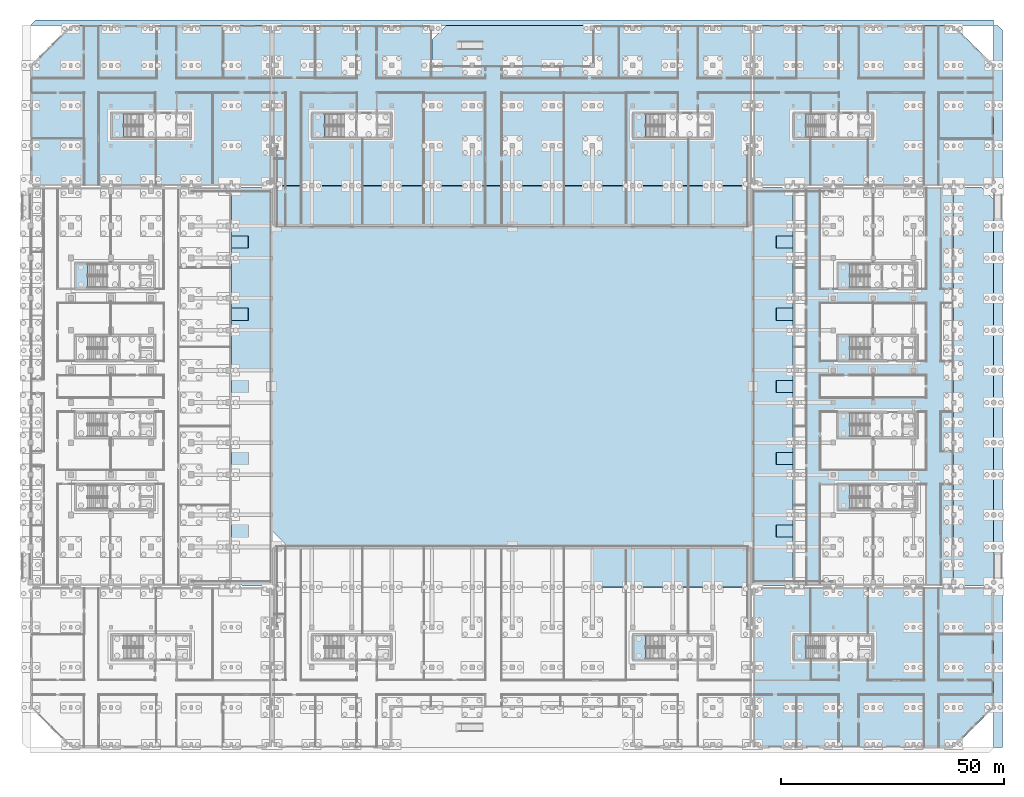
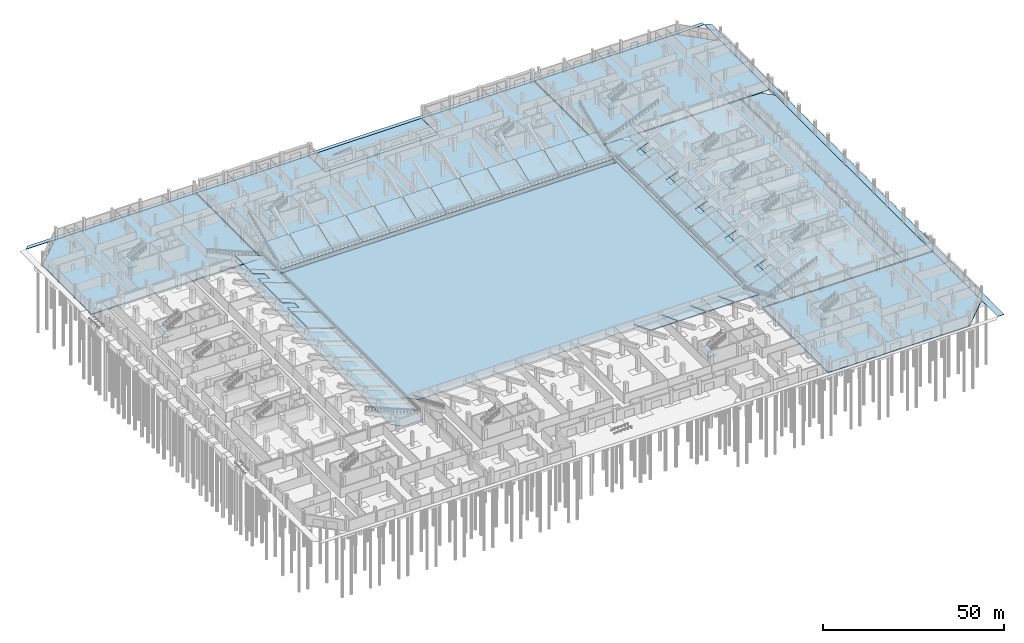
# One storey, part 12 of 53: 55 slabs, 11 elements without a shape of their own.
"""IFC4 building model written with IfcOpenShell, lengths in metres."""

from ifc_helpers import new_model, si_unit, direction, frame, origin, place, context, subcontext, project, spatial, polyline, outline, extrude, material, layer, layer_set, type_object, element, aggregate, save


model = new_model("IFC4")

# Units and contexts
model_context = context("Model", 3, precision=1e-05, world=origin(), true_north=direction((0.0, 1.0)))
body_context = subcontext(model_context, "Body", "Model", "MODEL_VIEW")
ifc_project = project(units=[si_unit("LENGTHUNIT", "METRE"), si_unit("AREAUNIT", "SQUARE_METRE"), si_unit("VOLUMEUNIT", "CUBIC_METRE"), si_unit("PLANEANGLEUNIT", "RADIAN"), si_unit("MASSUNIT", "GRAM", prefix="KILO"), si_unit("THERMODYNAMICTEMPERATUREUNIT", "KELVIN"), si_unit("POWERUNIT", "WATT")], contexts=[model_context])

# Site, building, storey
site_placement = place(None, origin())
site = spatial("IfcSite", under=ifc_project, at=site_placement, CompositionType="ELEMENT")
building_placement = place(site_placement, origin())
building = spatial("IfcBuilding", under=site, at=building_placement, Name="Sindhuravela Promenade Stadium", CompositionType="ELEMENT")
storey_placement = place(building_placement, origin())
storey = spatial("IfcBuildingStorey", under=building, at=storey_placement, Name="L00", CompositionType="ELEMENT", Elevation=0.0)

# Slabs
ifc_material_1 = material(Name="Concrete M40", Category="concrete")
ifc_layer_1 = layer(ifc_material_1, 0.340087890625)
ifc_layer_set_1 = layer_set([ifc_layer_1], Name="Concrete M40")
slab_type_1 = type_object("IfcSlabType", Name="SL-BASE-340", PredefinedType="BASESLAB", material=ifc_layer_set_1)
slab_1_placement = place(storey_placement, frame((0.0, 0.0, -0.340087890625)))
element("IfcSlab", 1, at=slab_1_placement, inside=storey, type_object=slab_type_1, Name="Floor slab EAST L00", PredefinedType="BASESLAB", context=body_context, shape_type="SweptSolid", body=[
    extrude(outline(polyline([(171.0, 36.25), (207.0, 36.25), (207.0, 125.75), (171.0, 125.75), (171.0, 36.25)])), origin(), (0.0, 0.0, 1.0), 0.340087890625),
])
slab_2_placement = place(storey_placement, frame((0.0, 0.0, -0.340087890625)))
element("IfcSlab", 2, at=slab_2_placement, inside=storey, type_object=slab_type_1, Name="Floor slab NORTH L00", PredefinedType="BASESLAB", context=body_context, shape_type="SweptSolid", body=[
    extrude(outline(polyline([(54.25, 117.0), (161.75, 117.0), (161.75, 162.0), (126.0, 162.0), (126.0, 153.0), (90.0, 153.0), (90.0, 162.0), (54.25, 162.0), (54.25, 117.0)])), origin(), (0.0, 0.0, 1.0), 0.340087890625),
])
slab_3_placement = place(storey_placement, frame((0.0, 0.0, -0.340087890625)))
element("IfcSlab", 3, at=slab_3_placement, inside=storey, type_object=slab_type_1, Name="Floor slab Pavilion SE L00", PredefinedType="BASESLAB", context=body_context, shape_type="SweptSolid", body=[
    extrude(outline(polyline([(162.0, 0.0), (207.0, 0.0), (216.0, 9.0), (216.0, 36.0), (162.0, 36.0), (162.0, 0.0)])), origin(), (0.0, 0.0, 1.0), 0.340087890625),
])
slab_4_placement = place(storey_placement, frame((0.0, 0.0, -0.340087890625)))
element("IfcSlab", 4, at=slab_4_placement, inside=storey, type_object=slab_type_1, Name="Floor slab Pavilion NW L00", PredefinedType="BASESLAB", context=body_context, shape_type="SweptSolid", body=[
    extrude(outline(polyline([(0.0, 126.0), (54.0, 126.0), (54.0, 162.0), (9.0, 162.0), (0.0, 153.0), (0.0, 126.0)])), origin(), (0.0, 0.0, 1.0), 0.340087890625),
])
slab_5_placement = place(storey_placement, frame((0.0, 0.0, -0.340087890625)))
element("IfcSlab", 5, at=slab_5_placement, inside=storey, type_object=slab_type_1, Name="Floor slab Pavilion NE L00", PredefinedType="BASESLAB", context=body_context, shape_type="SweptSolid", body=[
    extrude(outline(polyline([(162.0, 126.0), (216.0, 126.0), (216.0, 153.0), (207.0, 162.0), (162.0, 162.0), (162.0, 126.0)])), origin(), (0.0, 0.0, 1.0), 0.340087890625),
])

# Stair, slab
stair_type = type_object("IfcStairType", Name="ST-CORE-DOGLEG", PredefinedType="HALF_TURN_STAIR", material=ifc_material_1)
stair_1_placement = place(storey_placement, origin())
stair_1 = element("IfcStair", 6, at=stair_1_placement, inside=storey, type_object=stair_type, Name="Protected escape stair ST04 (L00)", PredefinedType="HALF_TURN_STAIR")
ifc_layer_2 = layer(ifc_material_1, 0.219970703125)
ifc_layer_set_2 = layer_set([ifc_layer_2], Name="Concrete M40")
slab_type_2 = type_object("IfcSlabType", Name="SL-LND-220", PredefinedType="LANDING", material=ifc_layer_set_2)
slab_6_placement = place(storey_placement, frame((0.0, 0.0, 2.179931640625)))
slab_6 = element("IfcSlab", 7, at=slab_6_placement, type_object=slab_type_2, Name="Stair ST04 half-landing (L00)", PredefinedType="LANDING", context=body_context, shape_type="SweptSolid", body=[
    extrude(outline(polyline([(10.179931640625, 103.080078125), (12.751953125, 103.080078125), (12.751953125, 108.52001953125), (10.179931640625, 108.52001953125), (10.179931640625, 103.080078125)])), origin(), (0.0, 0.0, 1.0), 0.219970703125),
])
aggregate(stair_1, [slab_6])

stair_2_placement = place(storey_placement, origin())
stair_2 = element("IfcStair", 8, at=stair_2_placement, inside=storey, type_object=stair_type, Name="Protected escape stair ST05 (L00)", PredefinedType="HALF_TURN_STAIR")
slab_7_placement = place(storey_placement, frame((0.0, 0.0, 2.179931640625)))
slab_7 = element("IfcSlab", 9, at=slab_7_placement, type_object=slab_type_2, Name="Stair ST05 half-landing (L00)", PredefinedType="LANDING", context=body_context, shape_type="SweptSolid", body=[
    extrude(outline(polyline([(181.179931640625, 53.47998046875), (183.751953125, 53.47998046875), (183.751953125, 58.919921875), (181.179931640625, 58.919921875), (181.179931640625, 53.47998046875)])), origin(), (0.0, 0.0, 1.0), 0.219970703125),
])
aggregate(stair_2, [slab_7])

stair_3_placement = place(storey_placement, origin())
stair_3 = element("IfcStair", 10, at=stair_3_placement, inside=storey, type_object=stair_type, Name="Protected escape stair ST06 (L00)", PredefinedType="HALF_TURN_STAIR")
slab_8_placement = place(storey_placement, frame((0.0, 0.0, 2.179931640625)))
slab_8 = element("IfcSlab", 11, at=slab_8_placement, type_object=slab_type_2, Name="Stair ST06 half-landing (L00)", PredefinedType="LANDING", context=body_context, shape_type="SweptSolid", body=[
    extrude(outline(polyline([(181.179931640625, 69.679931640625), (183.751953125, 69.679931640625), (183.751953125, 75.1201171875), (181.179931640625, 75.1201171875), (181.179931640625, 69.679931640625)])), origin(), (0.0, 0.0, 1.0), 0.219970703125),
])
aggregate(stair_3, [slab_8])

stair_4_placement = place(storey_placement, origin())
stair_4 = element("IfcStair", 12, at=stair_4_placement, inside=storey, type_object=stair_type, Name="Protected escape stair ST07 (L00)", PredefinedType="HALF_TURN_STAIR")
slab_9_placement = place(storey_placement, frame((0.0, 0.0, 2.179931640625)))
slab_9 = element("IfcSlab", 13, at=slab_9_placement, type_object=slab_type_2, Name="Stair ST07 half-landing (L00)", PredefinedType="LANDING", context=body_context, shape_type="SweptSolid", body=[
    extrude(outline(polyline([(181.179931640625, 86.8798828125), (183.751953125, 86.8798828125), (183.751953125, 92.320068359375), (181.179931640625, 92.320068359375), (181.179931640625, 86.8798828125)])), origin(), (0.0, 0.0, 1.0), 0.219970703125),
])
aggregate(stair_4, [slab_9])

stair_5_placement = place(storey_placement, origin())
stair_5 = element("IfcStair", 14, at=stair_5_placement, inside=storey, type_object=stair_type, Name="Protected escape stair ST08 (L00)", PredefinedType="HALF_TURN_STAIR")
slab_10_placement = place(storey_placement, frame((0.0, 0.0, 2.179931640625)))
slab_10 = element("IfcSlab", 15, at=slab_10_placement, type_object=slab_type_2, Name="Stair ST08 half-landing (L00)", PredefinedType="LANDING", context=body_context, shape_type="SweptSolid", body=[
    extrude(outline(polyline([(181.179931640625, 103.080078125), (183.751953125, 103.080078125), (183.751953125, 108.52001953125), (181.179931640625, 108.52001953125), (181.179931640625, 103.080078125)])), origin(), (0.0, 0.0, 1.0), 0.219970703125),
])
aggregate(stair_5, [slab_10])

stair_6_placement = place(storey_placement, origin())
stair_6 = element("IfcStair", 16, at=stair_6_placement, inside=storey, type_object=stair_type, Name="Protected escape stair ST09 (L00)", PredefinedType="HALF_TURN_STAIR")
slab_11_placement = place(storey_placement, frame((0.0, 0.0, 2.179931640625)))
slab_11 = element("IfcSlab", 17, at=slab_11_placement, type_object=slab_type_2, Name="Stair ST09 half-landing (L00)", PredefinedType="LANDING", context=body_context, shape_type="SweptSolid", body=[
    extrude(outline(polyline([(63.280029296875, 136.780029296875), (65.85205078125, 136.780029296875), (65.85205078125, 142.219970703125), (63.280029296875, 142.219970703125), (63.280029296875, 136.780029296875)])), origin(), (0.0, 0.0, 1.0), 0.219970703125),
])
aggregate(stair_6, [slab_11])

stair_7_placement = place(storey_placement, origin())
stair_7 = element("IfcStair", 18, at=stair_7_placement, inside=storey, type_object=stair_type, Name="Protected escape stair ST10 (L00)", PredefinedType="HALF_TURN_STAIR")
slab_12_placement = place(storey_placement, frame((0.0, 0.0, 2.179931640625)))
slab_12 = element("IfcSlab", 19, at=slab_12_placement, type_object=slab_type_2, Name="Stair ST10 half-landing (L00)", PredefinedType="LANDING", context=body_context, shape_type="SweptSolid", body=[
    extrude(outline(polyline([(135.280029296875, 136.780029296875), (137.85205078125, 136.780029296875), (137.85205078125, 142.219970703125), (135.280029296875, 142.219970703125), (135.280029296875, 136.780029296875)])), origin(), (0.0, 0.0, 1.0), 0.219970703125),
])
aggregate(stair_7, [slab_12])

stair_8_placement = place(storey_placement, origin())
stair_8 = element("IfcStair", 20, at=stair_8_placement, inside=storey, type_object=stair_type, Name="Protected escape stair ST12 (L00)", PredefinedType="HALF_TURN_STAIR")
slab_13_placement = place(storey_placement, frame((0.0, 0.0, 2.179931640625)))
slab_13 = element("IfcSlab", 21, at=slab_13_placement, type_object=slab_type_2, Name="Stair ST12 half-landing (L00)", PredefinedType="LANDING", context=body_context, shape_type="SweptSolid", body=[
    extrude(outline(polyline([(135.280029296875, 19.780029296875), (137.85205078125, 19.780029296875), (137.85205078125, 25.219970703125), (135.280029296875, 25.219970703125), (135.280029296875, 19.780029296875)])), origin(), (0.0, 0.0, 1.0), 0.219970703125),
])
aggregate(stair_8, [slab_13])

stair_9_placement = place(storey_placement, origin())
stair_9 = element("IfcStair", 22, at=stair_9_placement, inside=storey, type_object=stair_type, Name="Protected escape stair GS02 (L00)", PredefinedType="HALF_TURN_STAIR")
slab_14_placement = place(storey_placement, frame((0.0, 0.0, 2.179931640625)))
slab_14 = element("IfcSlab", 23, at=slab_14_placement, type_object=slab_type_2, Name="Stair GS02 half-landing (L00)", PredefinedType="LANDING", context=body_context, shape_type="SweptSolid", body=[
    extrude(outline(polyline([(171.280029296875, 19.780029296875), (173.85205078125, 19.780029296875), (173.85205078125, 25.219970703125), (171.280029296875, 25.219970703125), (171.280029296875, 19.780029296875)])), origin(), (0.0, 0.0, 1.0), 0.219970703125),
])
aggregate(stair_9, [slab_14])

stair_10_placement = place(storey_placement, origin())
stair_10 = element("IfcStair", 24, at=stair_10_placement, inside=storey, type_object=stair_type, Name="Protected escape stair GS03 (L00)", PredefinedType="HALF_TURN_STAIR")
slab_15_placement = place(storey_placement, frame((0.0, 0.0, 2.179931640625)))
slab_15 = element("IfcSlab", 25, at=slab_15_placement, type_object=slab_type_2, Name="Stair GS03 half-landing (L00)", PredefinedType="LANDING", context=body_context, shape_type="SweptSolid", body=[
    extrude(outline(polyline([(18.280029296875, 136.780029296875), (20.85205078125, 136.780029296875), (20.85205078125, 142.219970703125), (18.280029296875, 142.219970703125), (18.280029296875, 136.780029296875)])), origin(), (0.0, 0.0, 1.0), 0.219970703125),
])
aggregate(stair_10, [slab_15])

stair_11_placement = place(storey_placement, origin())
stair_11 = element("IfcStair", 26, at=stair_11_placement, inside=storey, type_object=stair_type, Name="Protected escape stair GS04 (L00)", PredefinedType="HALF_TURN_STAIR")
slab_16_placement = place(storey_placement, frame((0.0, 0.0, 2.179931640625)))
slab_16 = element("IfcSlab", 27, at=slab_16_placement, type_object=slab_type_2, Name="Stair GS04 half-landing (L00)", PredefinedType="LANDING", context=body_context, shape_type="SweptSolid", body=[
    extrude(outline(polyline([(171.280029296875, 136.780029296875), (173.85205078125, 136.780029296875), (173.85205078125, 142.219970703125), (171.280029296875, 142.219970703125), (171.280029296875, 136.780029296875)])), origin(), (0.0, 0.0, 1.0), 0.219970703125),
])
aggregate(stair_11, [slab_16])

# Slabs
ifc_material_2 = material(Name="Natural turf and porous promenade stone", Category="masonry")
ifc_layer_3 = layer(ifc_material_2, 0.139892578125)
ifc_layer_set_3 = layer_set([ifc_layer_3], Name="Natural turf and porous promenade stone")
slab_type_3 = type_object("IfcSlabType", Name="SL-PAV-140", PredefinedType="USERDEFINED", material=ifc_layer_set_3)
slab_17_placement = place(storey_placement, frame((0.0, 0.0, -0.139892578125)))
element("IfcSlab", 28, at=slab_17_placement, inside=storey, type_object=slab_type_3, Name="Natural turf field and perimeter stone paving", ObjectType="PAVING", PredefinedType="USERDEFINED", context=body_context, shape_type="SweptSolid", body=[
    extrude(outline(polyline([(57.5, 45.25), (162.0, 45.25), (162.0, 116.75), (54.0, 116.75), (54.0, 48.75), (57.5, 45.25)])), origin(), (0.0, 0.0, 1.0), 0.139892578125),
])
slab_18_placement = place(storey_placement, frame((0.0, 0.0, -0.139892578125)))
element("IfcSlab", 29, at=slab_18_placement, inside=storey, type_object=slab_type_3, Name="East Dholpur sandstone promenade stone paving", ObjectType="PAVING", PredefinedType="USERDEFINED", context=body_context, shape_type="SweptSolid", body=[
    extrude(outline(polyline([(207.0, 36.25), (216.0, 36.25), (216.0, 122.949951171875), (213.199951171875, 125.75), (207.0, 125.75), (207.0, 36.25)])), origin(), (0.0, 0.0, 1.0), 0.139892578125),
])
slab_19_placement = place(storey_placement, frame((0.0, 0.0, -0.139892578125)))
element("IfcSlab", 30, at=slab_19_placement, inside=storey, type_object=slab_type_3, Name="North landscaped civic court stone paving", ObjectType="PAVING", PredefinedType="USERDEFINED", context=body_context, shape_type="SweptSolid", body=[
    extrude(outline(polyline([(90.0, 153.0), (126.0, 153.0), (126.0, 162.0), (93.199951171875, 162.0), (90.0, 158.800048828125), (90.0, 153.0)])), origin(), (0.0, 0.0, 1.0), 0.139892578125),
])
slab_20_placement = place(storey_placement, frame((0.0, 0.0, -0.139892578125)))
element("IfcSlab", 31, at=slab_20_placement, inside=storey, type_object=slab_type_3, Name="East promenade colonnade step stone paving", ObjectType="PAVING", PredefinedType="USERDEFINED", context=body_context, shape_type="SweptSolid", body=[
    extrude(outline(polyline([(216.0, 0.0), (217.949951171875, 0.0), (217.949951171875, 160.89990234375), (216.85009765625, 162.0), (216.0, 162.0), (216.0, 0.0)])), origin(), (0.0, 0.0, 1.0), 0.139892578125),
])
slab_21_placement = place(storey_placement, frame((0.0, 0.0, -0.139892578125)))
element("IfcSlab", 32, at=slab_21_placement, inside=storey, type_object=slab_type_3, Name="North park plaza threshold stone paving", ObjectType="PAVING", PredefinedType="USERDEFINED", context=body_context, shape_type="SweptSolid", body=[
    extrude(outline(polyline([(0.0, 162.0), (216.0, 162.0), (216.0, 163.199951171875), (1.10009765625, 163.199951171875), (0.0, 162.10009765625), (0.0, 162.0)])), origin(), (0.0, 0.0, 1.0), 0.139892578125),
])
slab_22_placement = place(storey_placement, frame((0.0, 0.0, -0.139892578125)))
element("IfcSlab", 33, at=slab_22_placement, inside=storey, type_object=slab_type_3, Name="West field-side lower bowl concourse stone paving", ObjectType="PAVING", PredefinedType="USERDEFINED", context=body_context, shape_type="SweptSolid", body=[
    extrude(outline(polyline([(47.52001953125, 36.25), (53.97998046875, 36.25), (53.97998046875, 125.75), (45.02001953125, 125.75), (45.02001953125, 38.75), (47.52001953125, 36.25)])), origin(), (0.0, 0.0, 1.0), 0.139892578125),
])
slab_23_placement = place(storey_placement, frame((0.0, 0.0, -0.139892578125)))
element("IfcSlab", 34, at=slab_23_placement, inside=storey, type_object=slab_type_3, Name="East field-side lower bowl concourse stone paving", ObjectType="PAVING", PredefinedType="USERDEFINED", context=body_context, shape_type="SweptSolid", body=[
    extrude(outline(polyline([(162.02001953125, 36.25), (170.97998046875, 36.25), (170.97998046875, 123.25), (168.47998046875, 125.75), (162.02001953125, 125.75), (162.02001953125, 36.25)])), origin(), (0.0, 0.0, 1.0), 0.139892578125),
])
ifc_material_3 = material(Name="Precast concrete M50", Category="concrete")
ifc_layer_4 = layer(ifc_material_3, 0.260009765625)
ifc_layer_set_4 = layer_set([ifc_layer_4], Name="Precast concrete M50")
slab_type_4 = type_object("IfcSlabType", Name="SL-TR1-260", PredefinedType="USERDEFINED", material=ifc_layer_set_4)
slab_24_placement = place(storey_placement, frame((54.0, 84.60009765625, 1.449951171875), z_axis=(0.3431786080101595, 0.0, 0.9392701650772314), x_axis=(0.0, 1.0, 0.0)))
element("IfcSlab", 35, at=slab_24_placement, inside=storey, type_object=slab_type_4, Name="Stand lower tier West front bay 7", ObjectType="SEATING TIER", PredefinedType="USERDEFINED", context=body_context, shape_type="SweptSolid", body=[
    extrude(outline(polyline([(0.0, 0.0), (9.0, 0.0), (9.0, 9.528622865540601), (0.0, 9.528622865540601), (0.0, 0.0)])), origin(), (0.0, 0.0, -1.0), 0.260009765625),
])
slab_25_placement = place(storey_placement, frame((54.0, 93.60009765625, 1.449951171875), z_axis=(0.3431842460674465, 0.0, 0.9392681050962597), x_axis=(0.0, 1.0, 0.0)))
element("IfcSlab", 36, at=slab_25_placement, inside=storey, type_object=slab_type_4, Name="Stand lower tier West front bay 8", ObjectType="SEATING TIER", PredefinedType="USERDEFINED", context=body_context, shape_type="SweptSolid", body=[
    extrude(outline(polyline([(0.0, 0.0), (7.199951171875, 0.0), (7.199951171875, 9.528622865368936), (4.949951171875, 9.528622865368936), (4.949951171875, 5.526591029847331), (2.25, 5.526591029847331), (2.25, 9.528622865368936), (0.0, 9.528622865368936), (0.0, 0.0)])), origin(), (0.0, 0.0, -1.0), 0.260009765625),
])
slab_26_placement = place(storey_placement, frame((54.0, 100.800048828125, 1.449951171875), z_axis=(0.3431786080101595, 0.0, 0.9392701650772314), x_axis=(0.0, 1.0, 0.0)))
element("IfcSlab", 37, at=slab_26_placement, inside=storey, type_object=slab_type_4, Name="Stand lower tier West front bay 9", ObjectType="SEATING TIER", PredefinedType="USERDEFINED", context=body_context, shape_type="SweptSolid", body=[
    extrude(outline(polyline([(0.0, 0.0), (9.0, 0.0), (9.0, 9.528622865540601), (0.0, 9.528622865540601), (0.0, 0.0)])), origin(), (0.0, 0.0, -1.0), 0.260009765625),
])
slab_27_placement = place(storey_placement, frame((54.0, 109.800048828125, 1.449951171875), z_axis=(0.3431842460674465, 0.0, 0.9392681050962597), x_axis=(0.0, 1.0, 0.0)))
element("IfcSlab", 38, at=slab_27_placement, inside=storey, type_object=slab_type_4, Name="Stand lower tier West front bay 10", ObjectType="SEATING TIER", PredefinedType="USERDEFINED", context=body_context, shape_type="SweptSolid", body=[
    extrude(outline(polyline([(0.0, 0.0), (7.199951171875, 0.0), (7.199951171875, 9.528622865368936), (4.949951171875, 9.528622865368936), (4.949951171875, 5.526591029847331), (2.25, 5.526591029847331), (2.25, 9.528622865368936), (0.0, 9.528622865368936), (0.0, 0.0)])), origin(), (0.0, 0.0, -1.0), 0.260009765625),
])
for number, where, z_axis, x_axis, name in (
    (39, (54.0, 117.0, 1.449951171875), (0.3431786080101595, 0.0, 0.9392701650772313), (0.0, 1.0, 0.0), "Stand lower tier West front bay 11"),
    (40, (170.949951171875, 37.10009765625, 4.719970703125), (-0.3431786080101595, 0.0, 0.9392701650772313), (0.0, 1.0, 0.0), "Stand lower tier East front bay 12"),
):
    element("IfcSlab", number, at=place(storey_placement, frame(where, z_axis=z_axis, x_axis=x_axis)), inside=storey, type_object=slab_type_4, Name=name, ObjectType="SEATING TIER", PredefinedType="USERDEFINED", context=body_context, shape_type="SweptSolid", body=[
        extrude(outline(polyline([(0.0, 0.0), (7.89990234375, 0.0), (7.89990234375, 9.5286228655406), (0.0, 9.5286228655406), (0.0, 0.0)])), origin(), (0.0, 0.0, -1.0), 0.260009765625),
    ])
slab_28_placement = place(storey_placement, frame((170.949951171875, 45.0, 4.719970703125), z_axis=(-0.3431842460674465, 0.0, 0.9392681050962597), x_axis=(0.0, 1.0, 0.0)))
element("IfcSlab", 41, at=slab_28_placement, inside=storey, type_object=slab_type_4, Name="Stand lower tier East front bay 13", ObjectType="SEATING TIER", PredefinedType="USERDEFINED", context=body_context, shape_type="SweptSolid", body=[
    extrude(outline(polyline([(0.0, 0.0), (2.25, 0.0), (2.25, 4.002031835521605), (4.949951171875, 4.002031835521605), (4.949951171875, 0.0), (7.199951171875, 0.0), (7.199951171875, 9.528622865368936), (0.0, 9.528622865368936), (0.0, 0.0)])), origin(), (0.0, 0.0, -1.0), 0.260009765625),
])
slab_29_placement = place(storey_placement, frame((170.949951171875, 52.199951171875, 4.719970703125), z_axis=(-0.3431786080101595, 0.0, 0.9392701650772314), x_axis=(0.0, 1.0, 0.0)))
element("IfcSlab", 42, at=slab_29_placement, inside=storey, type_object=slab_type_4, Name="Stand lower tier East front bay 14", ObjectType="SEATING TIER", PredefinedType="USERDEFINED", context=body_context, shape_type="SweptSolid", body=[
    extrude(outline(polyline([(0.0, 0.0), (9.0, 0.0), (9.0, 9.528622865540601), (0.0, 9.528622865540601), (0.0, 0.0)])), origin(), (0.0, 0.0, -1.0), 0.260009765625),
])
slab_30_placement = place(storey_placement, frame((170.949951171875, 61.199951171875, 4.719970703125), z_axis=(-0.3431842460674465, 0.0, 0.9392681050962597), x_axis=(0.0, 1.0, 0.0)))
element("IfcSlab", 43, at=slab_30_placement, inside=storey, type_object=slab_type_4, Name="Stand lower tier East front bay 15", ObjectType="SEATING TIER", PredefinedType="USERDEFINED", context=body_context, shape_type="SweptSolid", body=[
    extrude(outline(polyline([(0.0, 0.0), (2.25, 0.0), (2.25, 4.002031835521605), (4.949951171875, 4.002031835521605), (4.949951171875, 0.0), (7.199951171875, 0.0), (7.199951171875, 9.528622865368936), (0.0, 9.528622865368936), (0.0, 0.0)])), origin(), (0.0, 0.0, -1.0), 0.260009765625),
])
slab_31_placement = place(storey_placement, frame((170.949951171875, 68.39990234375, 4.719970703125), z_axis=(-0.3431786080101595, 0.0, 0.9392701650772314), x_axis=(0.0, 1.0, 0.0)))
element("IfcSlab", 44, at=slab_31_placement, inside=storey, type_object=slab_type_4, Name="Stand lower tier East front bay 16", ObjectType="SEATING TIER", PredefinedType="USERDEFINED", context=body_context, shape_type="SweptSolid", body=[
    extrude(outline(polyline([(0.0, 0.0), (9.0, 0.0), (9.0, 9.528622865540601), (0.0, 9.528622865540601), (0.0, 0.0)])), origin(), (0.0, 0.0, -1.0), 0.260009765625),
])
slab_32_placement = place(storey_placement, frame((170.949951171875, 77.39990234375, 4.719970703125), z_axis=(-0.34318424644564116, 0.0, 0.9392681049580772), x_axis=(0.0, 1.0, 0.0)))
element("IfcSlab", 45, at=slab_32_placement, inside=storey, type_object=slab_type_4, Name="Stand lower tier East front bay 17", ObjectType="SEATING TIER", PredefinedType="USERDEFINED", context=body_context, shape_type="SweptSolid", body=[
    extrude(outline(polyline([(0.0, 0.0), (2.25, 0.0), (2.25, 4.002031835521544), (4.9501953125, 4.002031835521544), (4.9501953125, 0.0), (7.2001953125, 0.0), (7.2001953125, 9.528622865368913), (0.0, 9.528622865368913), (0.0, 0.0)])), origin(), (0.0, 0.0, -1.0), 0.260009765625),
])
slab_33_placement = place(storey_placement, frame((170.949951171875, 84.60009765625, 4.719970703125), z_axis=(-0.3431786080101595, 0.0, 0.9392701650772314), x_axis=(0.0, 1.0, 0.0)))
element("IfcSlab", 46, at=slab_33_placement, inside=storey, type_object=slab_type_4, Name="Stand lower tier East front bay 18", ObjectType="SEATING TIER", PredefinedType="USERDEFINED", context=body_context, shape_type="SweptSolid", body=[
    extrude(outline(polyline([(0.0, 0.0), (9.0, 0.0), (9.0, 9.528622865540601), (0.0, 9.528622865540601), (0.0, 0.0)])), origin(), (0.0, 0.0, -1.0), 0.260009765625),
])
slab_34_placement = place(storey_placement, frame((170.949951171875, 93.60009765625, 4.719970703125), z_axis=(-0.3431842460674465, 0.0, 0.9392681050962597), x_axis=(0.0, 1.0, 0.0)))
element("IfcSlab", 47, at=slab_34_placement, inside=storey, type_object=slab_type_4, Name="Stand lower tier East front bay 19", ObjectType="SEATING TIER", PredefinedType="USERDEFINED", context=body_context, shape_type="SweptSolid", body=[
    extrude(outline(polyline([(0.0, 0.0), (2.25, 0.0), (2.25, 4.002031835521605), (4.949951171875, 4.002031835521605), (4.949951171875, 0.0), (7.199951171875, 0.0), (7.199951171875, 9.528622865368936), (0.0, 9.528622865368936), (0.0, 0.0)])), origin(), (0.0, 0.0, -1.0), 0.260009765625),
])
slab_35_placement = place(storey_placement, frame((170.949951171875, 100.800048828125, 4.719970703125), z_axis=(-0.3431786080101595, 0.0, 0.9392701650772314), x_axis=(0.0, 1.0, 0.0)))
element("IfcSlab", 48, at=slab_35_placement, inside=storey, type_object=slab_type_4, Name="Stand lower tier East front bay 20", ObjectType="SEATING TIER", PredefinedType="USERDEFINED", context=body_context, shape_type="SweptSolid", body=[
    extrude(outline(polyline([(0.0, 0.0), (9.0, 0.0), (9.0, 9.528622865540601), (0.0, 9.528622865540601), (0.0, 0.0)])), origin(), (0.0, 0.0, -1.0), 0.260009765625),
])
slab_36_placement = place(storey_placement, frame((170.949951171875, 109.800048828125, 4.719970703125), z_axis=(-0.3431842460674465, 0.0, 0.9392681050962597), x_axis=(0.0, 1.0, 0.0)))
element("IfcSlab", 49, at=slab_36_placement, inside=storey, type_object=slab_type_4, Name="Stand lower tier East front bay 21", ObjectType="SEATING TIER", PredefinedType="USERDEFINED", context=body_context, shape_type="SweptSolid", body=[
    extrude(outline(polyline([(0.0, 0.0), (2.25, 0.0), (2.25, 4.002031835521605), (4.949951171875, 4.002031835521605), (4.949951171875, 0.0), (7.199951171875, 0.0), (7.199951171875, 9.528622865368936), (0.0, 9.528622865368936), (0.0, 0.0)])), origin(), (0.0, 0.0, -1.0), 0.260009765625),
])
slab_37_placement = place(storey_placement, frame((170.949951171875, 117.0, 4.719970703125), z_axis=(-0.3431786080101595, 0.0, 0.9392701650772313), x_axis=(0.0, 1.0, 0.0)))
element("IfcSlab", 50, at=slab_37_placement, inside=storey, type_object=slab_type_4, Name="Stand lower tier East front bay 22", ObjectType="SEATING TIER", PredefinedType="USERDEFINED", context=body_context, shape_type="SweptSolid", body=[
    extrude(outline(polyline([(0.0, 0.0), (7.89990234375, 0.0), (7.89990234375, 9.5286228655406), (0.0, 9.5286228655406), (0.0, 0.0)])), origin(), (0.0, 0.0, -1.0), 0.260009765625),
])
slab_38_placement = place(storey_placement, frame((55.10009765625, 116.75, 1.449951171875), z_axis=(0.0, -0.35830694337669755, 0.9336038422843214), x_axis=(1.0, 0.0, 0.0)))
element("IfcSlab", 51, at=slab_38_placement, inside=storey, type_object=slab_type_4, Name="Stand lower tier North front bay 23", ObjectType="SEATING TIER", PredefinedType="USERDEFINED", context=body_context, shape_type="SweptSolid", body=[
    extrude(outline(polyline([(0.0, 0.0), (7.89990234375, 0.0), (7.89990234375, 9.907842685573469), (0.0, 9.907842685573469), (0.0, 0.0)])), origin(), (0.0, 0.0, -1.0), 0.260009765625),
])
for number, where, z_axis, x_axis, name in (
    (52, (63.0, 116.75, 1.449951171875), (0.0, -0.35830694337669755, 0.9336038422843214), (1.0, 0.0, 0.0), "Stand lower tier North front bay 24"),
    (53, (72.0, 116.75, 1.449951171875), (0.0, -0.35830694337669755, 0.9336038422843214), (1.0, 0.0, 0.0), "Stand lower tier North front bay 25"),
    (54, (81.0, 116.75, 1.449951171875), (0.0, -0.35830694337669755, 0.9336038422843214), (1.0, 0.0, 0.0), "Stand lower tier North front bay 26"),
    (55, (90.0, 116.75, 1.449951171875), (0.0, -0.35830694337669755, 0.9336038422843214), (1.0, 0.0, 0.0), "Stand lower tier North front bay 27"),
    (56, (99.0, 116.75, 1.449951171875), (0.0, -0.35830694337669755, 0.9336038422843214), (1.0, 0.0, 0.0), "Stand lower tier North front bay 28"),
    (57, (108.0, 116.75, 1.449951171875), (0.0, -0.35830694337669755, 0.9336038422843214), (1.0, 0.0, 0.0), "Stand lower tier North front bay 29"),
    (58, (117.0, 116.75, 1.449951171875), (0.0, -0.35830694337669755, 0.9336038422843214), (1.0, 0.0, 0.0), "Stand lower tier North front bay 30"),
    (59, (135.0, 45.25, 1.449951171875), (0.0, 0.35830694337669755, 0.9336038422843214), (-1.0, 0.0, 0.0), "Stand lower tier South front bay 31"),
    (60, (126.0, 116.75, 1.449951171875), (0.0, -0.35830694337669755, 0.9336038422843214), (1.0, 0.0, 0.0), "Stand lower tier North front bay 31"),
    (61, (144.0, 45.25, 1.449951171875), (0.0, 0.35830694337669755, 0.9336038422843214), (-1.0, 0.0, 0.0), "Stand lower tier South front bay 32"),
    (62, (135.0, 116.75, 1.449951171875), (0.0, -0.35830694337669755, 0.9336038422843214), (1.0, 0.0, 0.0), "Stand lower tier North front bay 32"),
    (63, (153.0, 45.25, 1.449951171875), (0.0, 0.35830694337669755, 0.9336038422843214), (-1.0, 0.0, 0.0), "Stand lower tier South front bay 33"),
    (64, (144.0, 116.75, 1.449951171875), (0.0, -0.35830694337669755, 0.9336038422843214), (1.0, 0.0, 0.0), "Stand lower tier North front bay 33"),
):
    element("IfcSlab", number, at=place(storey_placement, frame(where, z_axis=z_axis, x_axis=x_axis)), inside=storey, type_object=slab_type_4, Name=name, ObjectType="SEATING TIER", PredefinedType="USERDEFINED", context=body_context, shape_type="SweptSolid", body=[
        extrude(outline(polyline([(0.0, 0.0), (9.0, 0.0), (9.0, 9.907842685573469), (0.0, 9.907842685573469), (0.0, 0.0)])), origin(), (0.0, 0.0, -1.0), 0.260009765625),
    ])
for number, where, z_axis, x_axis, name in (
    (65, (160.89990234375, 45.25, 1.449951171875), (0.0, 0.35830694337669755, 0.9336038422843214), (-1.0, 0.0, 0.0), "Stand lower tier South front bay 34"),
    (66, (153.0, 116.75, 1.449951171875), (0.0, -0.35830694337669755, 0.9336038422843214), (1.0, 0.0, 0.0), "Stand lower tier North front bay 34"),
):
    element("IfcSlab", number, at=place(storey_placement, frame(where, z_axis=z_axis, x_axis=x_axis)), inside=storey, type_object=slab_type_4, Name=name, ObjectType="SEATING TIER", PredefinedType="USERDEFINED", context=body_context, shape_type="SweptSolid", body=[
        extrude(outline(polyline([(0.0, 0.0), (7.89990234375, 0.0), (7.89990234375, 9.907842685573469), (0.0, 9.907842685573469), (0.0, 0.0)])), origin(), (0.0, 0.0, -1.0), 0.260009765625),
    ])

save(model, "model.ifc")
